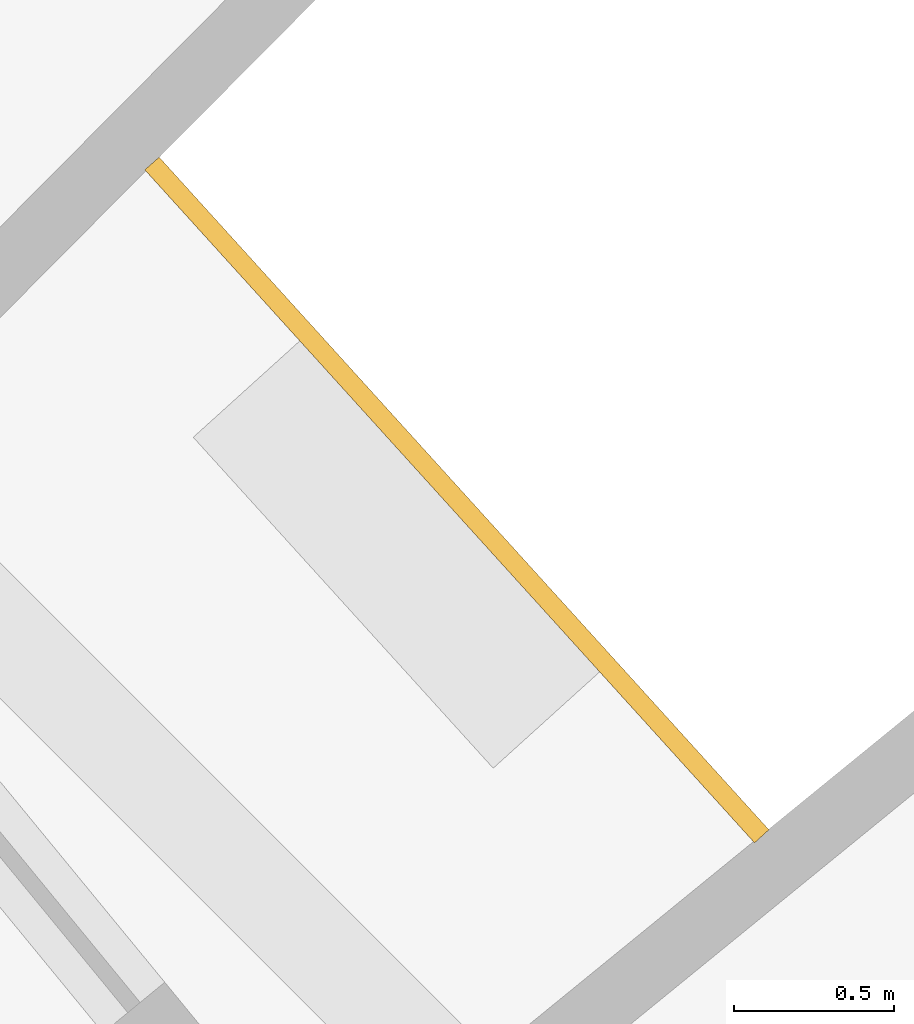
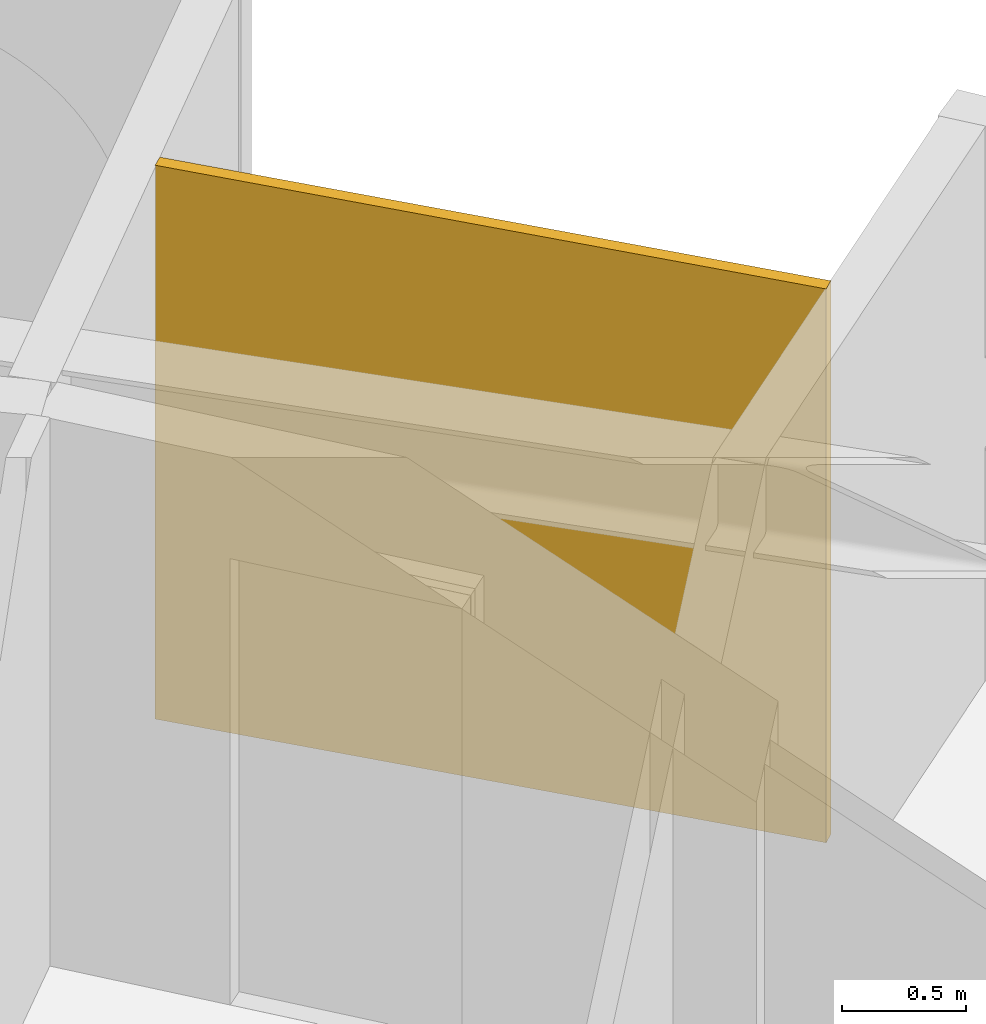
# One storey, part 27 of 27: 1 railing.
"""IFC4 building model written with IfcOpenShell, lengths in metres."""

from ifc_helpers import new_model, si_unit, direction, frame, origin, place, context, subcontext, project, spatial, polyline, outline, extrude, material, layer, layer_set, type_object, element, save


model = new_model("IFC4")

# Units and contexts
model_context = context("Model", 3, precision=1e-05, world=origin(), true_north=direction((0.0, 1.0)))
body_context = subcontext(model_context, "Body", "Model", "MODEL_VIEW")
ifc_project = project(units=[si_unit("LENGTHUNIT", "METRE"), si_unit("AREAUNIT", "SQUARE_METRE"), si_unit("VOLUMEUNIT", "CUBIC_METRE"), si_unit("PLANEANGLEUNIT", "RADIAN"), si_unit("MASSUNIT", "GRAM", prefix="KILO")], contexts=[model_context])

# Site, building, storey
site_placement = place(None, origin())
site = spatial("IfcSite", under=ifc_project, at=site_placement, CompositionType="ELEMENT")
building_placement = place(site_placement, origin())
building = spatial("IfcBuilding", under=site, at=building_placement, Name="Maasbend Ring Residences", CompositionType="ELEMENT")
storey_placement = place(building_placement, frame((0.0, 0.0, 167.699951171875)))
storey = spatial("IfcBuildingStorey", under=building, at=storey_placement, Name="L48", CompositionType="ELEMENT", Elevation=167.699951171875)

# Railing
ifc_material = material(Name="Pale anodised perforated aluminium", Category="aluminium")
ifc_layer = layer(ifc_material, 0.06005859375)
ifc_layer_set = layer_set([ifc_layer], Name="SCREEN-P")
railing_type = type_object("IfcRailingType", Name="SCREEN-P", PredefinedType="GUARDRAIL", material=ifc_layer_set)
railing_placement = place(storey_placement, frame((0.0, 0.0, -0.030029296875)))
element("IfcRailing", 1, at=railing_placement, inside=storey, type_object=railing_type, Name="Perforated screen guard 1", PredefinedType="GUARDRAIL", context=body_context, shape_type="SweptSolid", body=[
    extrude(outline(polyline([(22.4169921875, 18.39697265625), (20.506103515625, 20.506103515625), (20.551025390625, 20.5458984375), (22.4619140625, 18.43798828125), (22.4169921875, 18.39697265625)])), origin(), (0.0, 0.0, 1.0), 2.72998046875),
])

save(model, "model.ifc")
